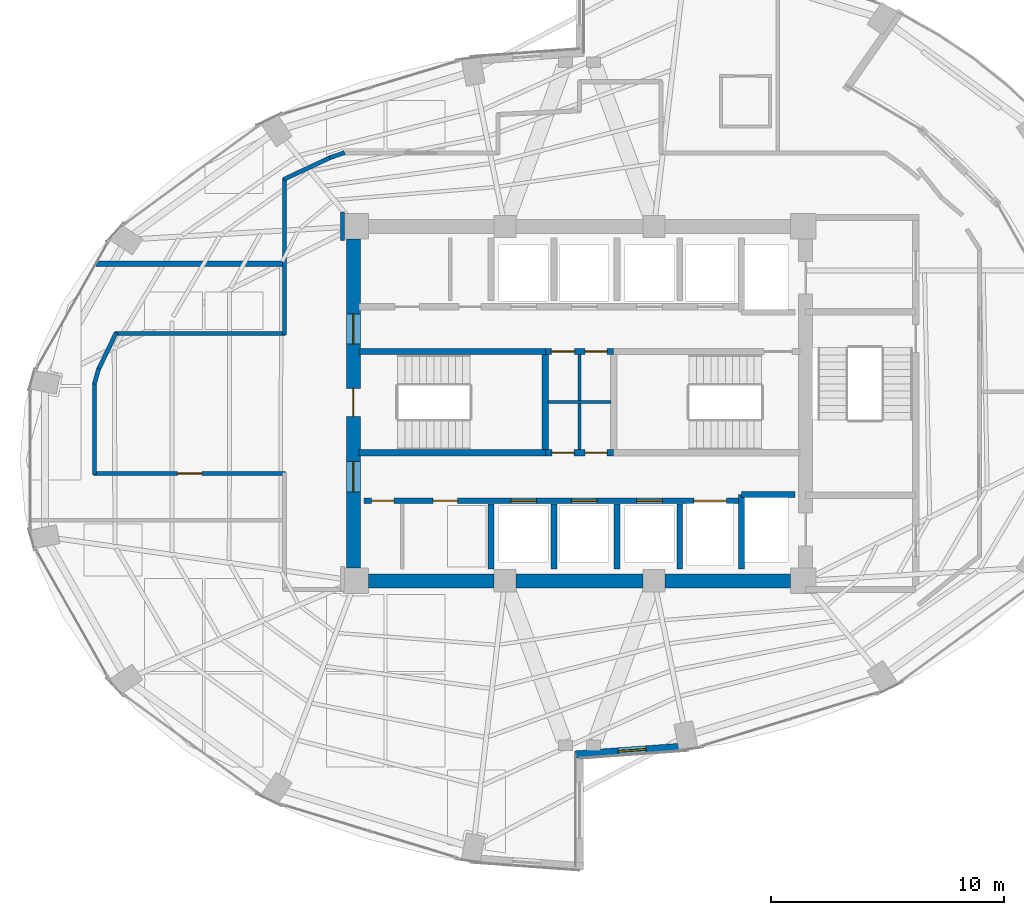
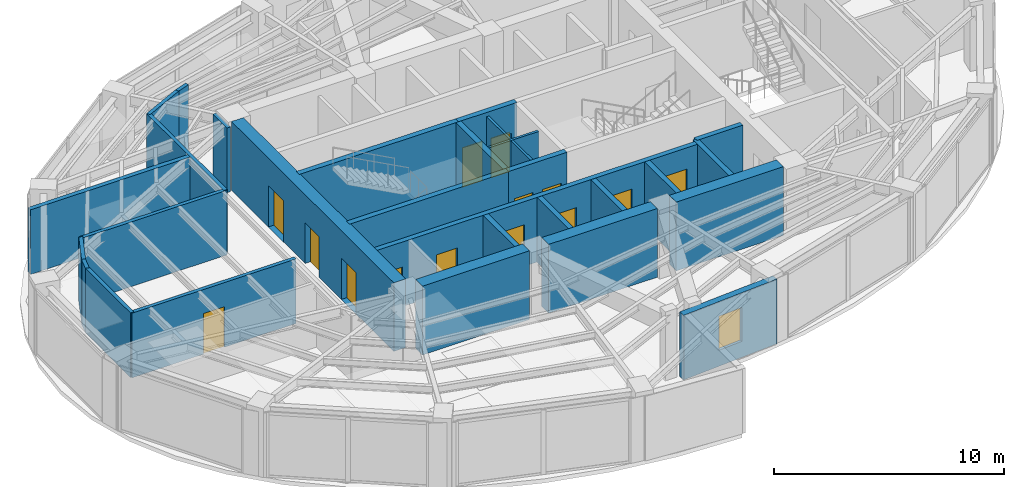
# One storey, part 15 of 19: 29 walls, 14 doors, 1 window, 15 openings.
"""IFC4 building model written with IfcOpenShell, lengths in metres."""

from ifc_helpers import new_model, si_unit, direction, frame, frame_2d, origin, place, context, subcontext, project, spatial, rectangle, extrude, material, layer, layer_set, type_object, element, fill, save


model = new_model("IFC4")

# Units and contexts
model_context = context("Model", 3, precision=1e-05, world=origin(), true_north=direction((0.0, 1.0)))
body_context = subcontext(model_context, "Body", "Model", "MODEL_VIEW")
ifc_project = project(units=[si_unit("LENGTHUNIT", "METRE"), si_unit("AREAUNIT", "SQUARE_METRE"), si_unit("VOLUMEUNIT", "CUBIC_METRE"), si_unit("PLANEANGLEUNIT", "RADIAN"), si_unit("MASSUNIT", "GRAM", prefix="KILO")], contexts=[model_context])

# Site, building, storey
site_placement = place(None, origin())
site = spatial("IfcSite", under=ifc_project, at=site_placement, CompositionType="ELEMENT")
building_placement = place(site_placement, origin())
building = spatial("IfcBuilding", under=site, at=building_placement, Name="Lazwardi Medical Tower", CompositionType="ELEMENT")
storey_placement = place(building_placement, frame((0.0, 0.0, 163.823974609375)))
storey = spatial("IfcBuildingStorey", under=building, at=storey_placement, Name="L42", CompositionType="ELEMENT", Elevation=163.823974609375)

# Walls
ifc_material_1 = material(Name="Fire-rated gypsum board on steel stud", Category="steel")
ifc_layer_1 = layer(ifc_material_1, 0.179931640625)
ifc_layer_set_1 = layer_set([ifc_layer_1], Name="Fire-rated gypsum board on steel stud")
wall_type_1 = type_object("IfcWallType", Name="WL-COR-180", PredefinedType="PARTITIONING", material=ifc_layer_set_1)
wall_1_placement = place(storey_placement, frame((15.350341796875, 29.435791015625, 0.0), z_axis=(0.0, 0.0, 1.0), x_axis=(0.436196025907, 0.899851669434, 0.0)))
element("IfcWall", 1, at=wall_1_placement, inside=storey, type_object=wall_type_1, Name="L42 Corridor partition 1", PredefinedType="PARTITIONING", context=body_context, shape_type="SweptSolid", body=[
    extrude(rectangle(XDim=1.778076171875, YDim=0.179931640625, at=frame_2d((0.88916015625, 0.0))), origin(), (0.0, 0.0, 1.0), 3.427978515625),
])
wall_2_placement = place(storey_placement, frame((16.068359375, 31.0, 0.0), z_axis=(0.0, 0.0, 1.0), x_axis=(1.0, 0.0, 0.0)))
element("IfcWall", 2, at=wall_2_placement, inside=storey, type_object=wall_type_1, Name="L42 Corridor partition 2", PredefinedType="PARTITIONING", context=body_context, shape_type="SweptSolid", body=[
    extrude(rectangle(XDim=7.321533203125, YDim=0.179931640625, at=frame_2d((3.66064453125, 0.0))), origin(), (0.0, 0.0, 1.0), 3.427978515625),
])
wall_3_placement = place(storey_placement, frame((23.35009765625, 30.9599609375, 0.0), z_axis=(0.0, 0.0, 1.0), x_axis=(0.0, 1.0, 0.0)))
element("IfcWall", 3, at=wall_3_placement, inside=storey, type_object=wall_type_1, Name="L42 Corridor partition 3", PredefinedType="PARTITIONING", context=body_context, shape_type="SweptSolid", body=[
    extrude(rectangle(XDim=6.7138671875, YDim=0.179931640625, at=frame_2d((3.35693359375, 0.0))), origin(), (0.0, 0.0, 1.0), 3.427978515625),
])
wall_4_placement = place(storey_placement, frame((23.313720703125, 37.616943359375, 0.0), z_axis=(0.0, 0.0, 1.0), x_axis=(0.905731790856, 0.423851298255, 0.0)))
element("IfcWall", 4, at=wall_4_placement, inside=storey, type_object=wall_type_1, Name="L42 Corridor partition 4", PredefinedType="PARTITIONING", context=body_context, shape_type="SweptSolid", body=[
    extrude(rectangle(XDim=2.255126953125, YDim=0.179931640625, at=frame_2d((1.12744140625, 0.0))), origin(), (0.0, 0.0, 1.0), 3.427978515625),
])
wall_5_placement = place(storey_placement, frame((25.2822265625, 38.54248046875, 0.0), z_axis=(0.0, 0.0, 1.0), x_axis=(0.94508059942, 0.326837361085, 0.0)))
element("IfcWall", 5, at=wall_5_placement, inside=storey, type_object=wall_type_1, Name="L42 Corridor partition 5", PredefinedType="PARTITIONING", context=body_context, shape_type="SweptSolid", body=[
    extrude(rectangle(XDim=0.67529296875, YDim=0.179931640625, at=frame_2d((0.337646484375, 0.0))), origin(), (0.0, 0.0, 1.0), 3.427978515625),
])
wall_6_placement = place(storey_placement, frame((25.830078125, 36.2099609375, 0.0), z_axis=(0.0, 0.0, 1.0), x_axis=(0.0, -1.0, 0.0)))
element("IfcWall", 6, at=wall_6_placement, inside=storey, type_object=wall_type_1, Name="L42 Corridor partition 20", PredefinedType="PARTITIONING", context=body_context, shape_type="SweptSolid", body=[
    extrude(rectangle(XDim=1.219970703125, YDim=0.179931640625, at=frame_2d((0.60986328125, 0.0))), origin(), (0.0, 0.0, 1.0), 3.427978515625),
])

# Wall, opening, door
wall_7_placement = place(storey_placement, frame((23.389892578125, 25.0, 0.0), z_axis=(0.0, 0.0, 1.0), x_axis=(-1.0, 0.0, 0.0)))
wall_7 = element("IfcWall", 7, at=wall_7_placement, inside=storey, type_object=wall_type_1, Name="L42 Corridor partition 24", PredefinedType="PARTITIONING", context=body_context, shape_type="SweptSolid", body=[
    extrude(rectangle(XDim=8.22998046875, YDim=0.179931640625, at=frame_2d((4.114990234375, 0.0))), origin(), (0.0, 0.0, 1.0), 3.427978515625),
])
opening_1_placement = place(wall_7_placement, frame((3.590087890625, 0.0, 0.0)))
opening_1 = element("IfcOpeningElement", 8, at=opening_1_placement, cuts=wall_7, Name="Opening D-L42-017", PredefinedType="OPENING", context=body_context, shape_type="SweptSolid", body=[
    extrude(rectangle(XDim=1.050048828125, YDim=2.14990234375, at=frame_2d((0.52490234375, 1.074951171875))), frame((0.0, 0.099853515625, 0.0), z_axis=(0.0, -1.0, 0.0), x_axis=(1.0, 0.0, 0.0)), (0.0, 0.0, 1.0), 0.199951171875),
])
ifc_material_2 = material(Name="Anti-microbial laminate hospital leaf")
door_type_1 = type_object("IfcDoorType", Name="DR-CLN-1050", OperationType="NOTDEFINED", PredefinedType="DOOR", material=ifc_material_2)
door_1_placement = place(opening_1_placement, origin())
door_1 = element("IfcDoor", 9, at=door_1_placement, inside=storey, type_object=door_type_1, Name="L42 Medical Duty Staff Room Door 04", OperationType="SINGLE_SWING_LEFT", OverallHeight=2.14990234375, OverallWidth=1.050048828125, PredefinedType="DOOR", context=body_context, shape_type="SweptSolid", body=[
    extrude(rectangle(XDim=1.050048828125, YDim=2.14990234375, at=frame_2d((0.52490234375, 1.074951171875))), frame((0.0, 0.02490234375, 0.0), z_axis=(0.0, -1.0, 0.0), x_axis=(1.0, 0.0, 0.0)), (0.0, 0.0, 1.0), 0.050048828125),
])
fill(opening_1, door_1)

# Walls
wall_8_placement = place(storey_placement, frame((15.199951171875, 24.9599609375, 0.0), z_axis=(0.0, 0.0, 1.0), x_axis=(0.0, 1.0, 0.0)))
element("IfcWall", 10, at=wall_8_placement, inside=storey, type_object=wall_type_1, Name="L42 Corridor partition 25", PredefinedType="PARTITIONING", context=body_context, shape_type="SweptSolid", body=[
    extrude(rectangle(XDim=3.961181640625, YDim=0.179931640625, at=frame_2d((1.98046875, 0.0))), origin(), (0.0, 0.0, 1.0), 3.427978515625),
])
wall_9_placement = place(storey_placement, frame((15.189208984375, 28.842529296875, 0.0), z_axis=(0.0, 0.0, 1.0), x_axis=(0.272862960331, 0.962052911684, 0.0)))
element("IfcWall", 11, at=wall_9_placement, inside=storey, type_object=wall_type_1, Name="L42 Corridor partition 26", PredefinedType="PARTITIONING", context=body_context, shape_type="SweptSolid", body=[
    extrude(rectangle(XDim=0.6943359375, YDim=0.179931640625, at=frame_2d((0.34716796875, 0.0))), origin(), (0.0, 0.0, 1.0), 3.427978515625),
])

# Wall, openings, doors
ifc_material_3 = material(Name="Concrete C60/75", Category="concrete")
ifc_layer_2 = layer(ifc_material_3, 0.60009765625)
ifc_layer_set_2 = layer_set([ifc_layer_2], Name="Concrete C60/75")
wall_type_2 = type_object("IfcWallType", Name="WL-CORE-600", PredefinedType="SHEAR", material=ifc_layer_set_2)
wall_10_placement = place(storey_placement, frame((26.300048828125, 20.949951171875, 0.0), z_axis=(0.0, 0.0, 1.0), x_axis=(0.0, 1.0, 0.0)))
wall_10 = element("IfcWall", 12, at=wall_10_placement, inside=storey, type_object=wall_type_2, Name="Core wall CW-S3 west L42", PredefinedType="SHEAR", context=body_context, shape_type="SweptSolid", body=[
    extrude(rectangle(XDim=14.10009765625, YDim=0.60009765625, at=frame_2d((7.050048828125, 0.0))), origin(), (0.0, 0.0, 1.0), 3.64794921875),
])
opening_2_placement = place(wall_10_placement, frame((6.5, 0.0, 0.0)))
opening_2 = element("IfcOpeningElement", 13, at=opening_2_placement, cuts=wall_10, Name="Opening D-L42-018", PredefinedType="OPENING", context=body_context, shape_type="SweptSolid", body=[
    extrude(rectangle(XDim=1.199951171875, YDim=2.14990234375, at=frame_2d((0.60009765625, 1.074951171875))), frame((0.0, 0.31005859375, 0.0), z_axis=(0.0, -1.0, 0.0), x_axis=(1.0, 0.0, 0.0)), (0.0, 0.0, 1.0), 0.6201171875),
])
opening_3_placement = place(wall_10_placement, frame((9.60009765625, 0.0, 0.0)))
opening_3 = element("IfcOpeningElement", 14, at=opening_3_placement, cuts=wall_10, Name="Opening D-L42-012", PredefinedType="OPENING", context=body_context, shape_type="SweptSolid", body=[
    extrude(rectangle(XDim=1.300048828125, YDim=2.199951171875, at=frame_2d((0.64990234375, 1.10009765625))), frame((0.0, 0.31005859375, 0.0), z_axis=(0.0, -1.0, 0.0), x_axis=(1.0, 0.0, 0.0)), (0.0, 0.0, 1.0), 0.6201171875),
])
opening_4_placement = place(wall_10_placement, frame((3.260009765625, 0.0, 0.0)))
opening_4 = element("IfcOpeningElement", 15, at=opening_4_placement, cuts=wall_10, Name="Opening D-L42-013", PredefinedType="OPENING", context=body_context, shape_type="SweptSolid", body=[
    extrude(rectangle(XDim=1.300048828125, YDim=2.199951171875, at=frame_2d((0.64990234375, 1.10009765625))), frame((0.0, 0.31005859375, 0.0), z_axis=(0.0, -1.0, 0.0), x_axis=(1.0, 0.0, 0.0)), (0.0, 0.0, 1.0), 0.6201171875),
])
ifc_material_4 = material(Name="Fire-rated steel leaf and frame", Category="steel")
door_type_2 = type_object("IfcDoorType", Name="DR-FFL-1300", OperationType="NOTDEFINED", PredefinedType="DOOR", material=ifc_material_4)
door_2_placement = place(opening_3_placement, origin())
door_2 = element("IfcDoor", 16, at=door_2_placement, inside=storey, type_object=door_type_2, Name="L42 North Lift Lobby Door", OperationType="SINGLE_SWING_RIGHT", OverallHeight=2.199951171875, OverallWidth=1.300048828125, PredefinedType="DOOR", context=body_context, shape_type="SweptSolid", body=[
    extrude(rectangle(XDim=1.300048828125, YDim=2.199951171875, at=frame_2d((0.64990234375, 1.10009765625))), frame((0.0, 0.02490234375, 0.0), z_axis=(0.0, -1.0, 0.0), x_axis=(1.0, 0.0, 0.0)), (0.0, 0.0, 1.0), 0.050048828125),
])
fill(opening_3, door_2)
door_3_placement = place(opening_4_placement, origin())
door_3 = element("IfcDoor", 17, at=door_3_placement, inside=storey, type_object=door_type_2, Name="L42 South Lift Lobby Door", OperationType="SINGLE_SWING_LEFT", OverallHeight=2.199951171875, OverallWidth=1.300048828125, PredefinedType="DOOR", context=body_context, shape_type="SweptSolid", body=[
    extrude(rectangle(XDim=1.300048828125, YDim=2.199951171875, at=frame_2d((0.64990234375, 1.10009765625))), frame((0.0, 0.02490234375, 0.0), z_axis=(0.0, -1.0, 0.0), x_axis=(1.0, 0.0, 0.0)), (0.0, 0.0, 1.0), 0.050048828125),
])
fill(opening_4, door_3)
door_type_3 = type_object("IfcDoorType", Name="DR-STR-1200", OperationType="NOTDEFINED", PredefinedType="DOOR", material=ifc_material_4)
door_4_placement = place(opening_2_placement, origin())
door_4 = element("IfcDoor", 18, at=door_4_placement, inside=storey, type_object=door_type_3, Name="L42 Exit Stair ST1 Door", OperationType="SINGLE_SWING_RIGHT", OverallHeight=2.14990234375, OverallWidth=1.199951171875, PredefinedType="DOOR", context=body_context, shape_type="SweptSolid", body=[
    extrude(rectangle(XDim=1.199951171875, YDim=2.14990234375, at=frame_2d((0.60009765625, 1.074951171875))), frame((0.0, 0.02490234375, 0.0), z_axis=(0.0, -1.0, 0.0), x_axis=(1.0, 0.0, 0.0)), (0.0, 0.0, 1.0), 0.050048828125),
])
fill(opening_2, door_4)

# Walls
wall_11_placement = place(storey_placement, frame((26.949951171875, 20.39990234375, 0.0), z_axis=(0.0, 0.0, 1.0), x_axis=(1.0, 0.0, 0.0)))
element("IfcWall", 19, at=wall_11_placement, inside=storey, type_object=wall_type_2, Name="Core wall CW-S3 S1 L42", PredefinedType="SHEAR", context=body_context, shape_type="SweptSolid", body=[
    extrude(rectangle(XDim=5.375, YDim=0.60009765625, at=frame_2d((2.6875, 0.0))), origin(), (0.0, 0.0, 1.0), 3.64794921875),
])
wall_12_placement = place(storey_placement, frame((33.27490234375, 20.39990234375, 0.0), z_axis=(0.0, 0.0, 1.0), x_axis=(1.0, 0.0, 0.0)))
element("IfcWall", 20, at=wall_12_placement, inside=storey, type_object=wall_type_2, Name="Core wall CW-S3 S2 L42", PredefinedType="SHEAR", context=body_context, shape_type="SweptSolid", body=[
    extrude(rectangle(XDim=5.4501953125, YDim=0.60009765625, at=frame_2d((2.72509765625, 0.0))), origin(), (0.0, 0.0, 1.0), 3.64794921875),
])
wall_13_placement = place(storey_placement, frame((39.675048828125, 20.39990234375, 0.0), z_axis=(0.0, 0.0, 1.0), x_axis=(1.0, 0.0, 0.0)))
element("IfcWall", 21, at=wall_13_placement, inside=storey, type_object=wall_type_2, Name="Core wall CW-S3 S3 L42", PredefinedType="SHEAR", context=body_context, shape_type="SweptSolid", body=[
    extrude(rectangle(XDim=5.375, YDim=0.60009765625, at=frame_2d((2.6875, 0.0))), origin(), (0.0, 0.0, 1.0), 3.64794921875),
])
ifc_material_5 = material(Name="Moisture-resistant gypsum board partition")
ifc_layer_3 = layer(ifc_material_5, 0.125)
ifc_layer_set_3 = layer_set([ifc_layer_3], Name="Moisture-resistant gypsum board partition")
wall_type_3 = type_object("IfcWallType", Name="WL-ENS-125", PredefinedType="PARTITIONING", material=ifc_layer_set_3)
wall_14_placement = place(storey_placement, frame((34.64990234375, 28.06005859375, 0.0), z_axis=(0.0, 0.0, 1.0), x_axis=(1.0, 0.0, 0.0)))
element("IfcWall", 22, at=wall_14_placement, inside=storey, type_object=wall_type_3, Name="L42 Core 4-way H divider", PredefinedType="PARTITIONING", context=body_context, shape_type="SweptSolid", body=[
    extrude(rectangle(XDim=2.7001953125, YDim=0.125, at=frame_2d((1.35009765625, 0.0))), origin(), (0.0, 0.0, 1.0), 3.427978515625),
])
wall_15_placement = place(storey_placement, frame((36.0, 26.02001953125, 0.0), z_axis=(0.0, 0.0, 1.0), x_axis=(0.0, 1.0, 0.0)))
element("IfcWall", 23, at=wall_15_placement, inside=storey, type_object=wall_type_3, Name="L42 Core 4-way V divider", PredefinedType="PARTITIONING", context=body_context, shape_type="SweptSolid", body=[
    extrude(rectangle(XDim=4.080078125, YDim=0.125, at=frame_2d((2.0400390625, 0.0))), origin(), (0.0, 0.0, 1.0), 3.427978515625),
])

# Wall, opening, window
ifc_material_6 = material(Name="Precast concrete C45/55", Category="concrete")
ifc_layer_4 = layer(ifc_material_6, 0.320068359375)
ifc_layer_set_4 = layer_set([ifc_layer_4], Name="Precast concrete C45/55")
wall_type_4 = type_object("IfcWallType", Name="WL-IWAN-320", PredefinedType="SOLIDWALL", material=ifc_layer_set_4)
wall_16_placement = place(storey_placement, frame((35.820556640625, 12.947021484375, 0.0), z_axis=(0.0, 0.0, 1.0), x_axis=(0.997415460462, 0.071849838072, 0.0)))
wall_16 = element("IfcWall", 24, at=wall_16_placement, inside=storey, type_object=wall_type_4, Name="L42 Iwan Portal Return Wall SE_ret", PredefinedType="SOLIDWALL", context=body_context, shape_type="SweptSolid", body=[
    extrude(rectangle(XDim=4.89306640625, YDim=0.320068359375, at=frame_2d((2.446533203125, 0.0))), origin(), (0.0, 0.0, 1.0), 3.427978515625),
])
opening_5_placement = place(wall_16_placement, frame((1.846435546875, 0.0, 0.85009765625)))
opening_5 = element("IfcOpeningElement", 25, at=opening_5_placement, cuts=wall_16, Name="Opening WN-04", PredefinedType="OPENING", context=body_context, shape_type="SweptSolid", body=[
    extrude(rectangle(XDim=1.199951171875, YDim=1.800048828125, at=frame_2d((0.60009765625, 0.89990234375))), frame((0.0, 0.169921875, 0.0), z_axis=(0.0, -1.0, 0.0), x_axis=(1.0, 0.0, 0.0)), (0.0, 0.0, 1.0), 0.340087890625),
])
ifc_material_7 = material(Name="Low-e bronze solar control double glazing", Category="glass")
window_type = type_object("IfcWindowType", Name="WIN-DRUM-1200", PartitioningType="SINGLE_PANEL", PredefinedType="WINDOW", material=ifc_material_7)
window_placement = place(opening_5_placement, origin())
window = element("IfcWindow", 26, at=window_placement, inside=storey, type_object=window_type, Name="L42 Iwan Slot Window SE_ret", OverallHeight=1.800048828125, OverallWidth=1.199951171875, PartitioningType="SINGLE_PANEL", PredefinedType="WINDOW", context=body_context, shape_type="SweptSolid", body=[
    extrude(rectangle(XDim=1.199951171875, YDim=1.800048828125, at=frame_2d((0.60009765625, 0.89990234375))), frame((0.0, 0.030029296875, 0.0), z_axis=(0.0, -1.0, 0.0), x_axis=(1.0, 0.0, 0.0)), (0.0, 0.0, 1.0), 0.06005859375),
])
fill(opening_5, window)

# Wall, openings, doors
ifc_material_8 = material(Name="Autoclaved aerated concrete blockwork", Category="masonry")
ifc_layer_5 = layer(ifc_material_8, 0.25)
ifc_layer_set_5 = layer_set([ifc_layer_5], Name="Autoclaved aerated concrete blockwork")
wall_type_5 = type_object("IfcWallType", Name="WL-SHAFT-250", PredefinedType="SOLIDWALL", material=ifc_layer_set_5)
wall_17_placement = place(storey_placement, frame((26.75, 23.830078125, 0.0), z_axis=(0.0, 0.0, 1.0), x_axis=(1.0, 0.0, 0.0)))
wall_17 = element("IfcWall", 27, at=wall_17_placement, inside=storey, type_object=wall_type_5, Name="L42 South lift bank front wall", PredefinedType="SOLIDWALL", context=body_context, shape_type="SweptSolid", body=[
    extrude(rectangle(XDim=16.199951171875, YDim=0.25, at=frame_2d((8.10009765625, 0.0))), origin(), (0.0, 0.0, 1.0), 3.427978515625),
])
opening_6_placement = place(wall_17_placement, frame((0.3349609375, 0.0, 0.0)))
opening_6 = element("IfcOpeningElement", 28, at=opening_6_placement, cuts=wall_17, Name="Opening D-L42-008", PredefinedType="OPENING", context=body_context, shape_type="SweptSolid", body=[
    extrude(rectangle(XDim=0.949951171875, YDim=2.10009765625, at=frame_2d((0.47509765625, 1.050048828125))), frame((0.0, 0.135009765625, 0.0), z_axis=(0.0, -1.0, 0.0), x_axis=(1.0, 0.0, 0.0)), (0.0, 0.0, 1.0), 0.27001953125),
])
opening_7_placement = place(wall_17_placement, frame((2.97509765625, 0.0, 0.0)))
opening_7 = element("IfcOpeningElement", 29, at=opening_7_placement, cuts=wall_17, Name="Opening D-L42-009", PredefinedType="OPENING", context=body_context, shape_type="SweptSolid", body=[
    extrude(rectangle(XDim=1.050048828125, YDim=2.14990234375, at=frame_2d((0.52490234375, 1.074951171875))), frame((0.0, 0.135009765625, 0.0), z_axis=(0.0, -1.0, 0.0), x_axis=(1.0, 0.0, 0.0)), (0.0, 0.0, 1.0), 0.27001953125),
])
opening_8_placement = place(wall_17_placement, frame((6.300048828125, 0.0, 0.0)))
opening_8 = element("IfcOpeningElement", 30, at=opening_8_placement, cuts=wall_17, Name="Opening LD-L42-006", PredefinedType="OPENING", context=body_context, shape_type="SweptSolid", body=[
    extrude(rectangle(XDim=1.10009765625, YDim=2.199951171875, at=frame_2d((0.550048828125, 1.10009765625))), frame((0.0, 0.135009765625, 0.0), z_axis=(0.0, -1.0, 0.0), x_axis=(1.0, 0.0, 0.0)), (0.0, 0.0, 1.0), 0.27001953125),
])
opening_9_placement = place(wall_17_placement, frame((8.89990234375, 0.0, 0.0)))
opening_9 = element("IfcOpeningElement", 31, at=opening_9_placement, cuts=wall_17, Name="Opening LD-L42-007", PredefinedType="OPENING", context=body_context, shape_type="SweptSolid", body=[
    extrude(rectangle(XDim=1.10009765625, YDim=2.199951171875, at=frame_2d((0.550048828125, 1.10009765625))), frame((0.0, 0.135009765625, 0.0), z_axis=(0.0, -1.0, 0.0), x_axis=(1.0, 0.0, 0.0)), (0.0, 0.0, 1.0), 0.27001953125),
])
opening_10_placement = place(wall_17_placement, frame((11.699951171875, 0.0, 0.0)))
opening_10 = element("IfcOpeningElement", 32, at=opening_10_placement, cuts=wall_17, Name="Opening LD-L42-010", PredefinedType="OPENING", context=body_context, shape_type="SweptSolid", body=[
    extrude(rectangle(XDim=1.10009765625, YDim=2.199951171875, at=frame_2d((0.550048828125, 1.10009765625))), frame((0.0, 0.135009765625, 0.0), z_axis=(0.0, -1.0, 0.0), x_axis=(1.0, 0.0, 0.0)), (0.0, 0.0, 1.0), 0.27001953125),
])
opening_11_placement = place(wall_17_placement, frame((14.14990234375, 0.0, 0.0)))
opening_11 = element("IfcOpeningElement", 33, at=opening_11_placement, cuts=wall_17, Name="Opening LD-L42-003", PredefinedType="OPENING", context=body_context, shape_type="SweptSolid", body=[
    extrude(rectangle(XDim=1.39990234375, YDim=2.300048828125, at=frame_2d((0.699951171875, 1.14990234375))), frame((0.0, 0.135009765625, 0.0), z_axis=(0.0, -1.0, 0.0), x_axis=(1.0, 0.0, 0.0)), (0.0, 0.0, 1.0), 0.27001953125),
])
door_5_placement = place(opening_7_placement, origin())
door_5 = element("IfcDoor", 34, at=door_5_placement, inside=storey, type_object=door_type_1, Name="L42 Medication Door", OperationType="SINGLE_SWING_LEFT", OverallHeight=2.14990234375, OverallWidth=1.050048828125, PredefinedType="DOOR", context=body_context, shape_type="SweptSolid", body=[
    extrude(rectangle(XDim=1.050048828125, YDim=2.14990234375, at=frame_2d((0.52490234375, 1.074951171875))), frame((0.0, 0.02490234375, 0.0), z_axis=(0.0, -1.0, 0.0), x_axis=(1.0, 0.0, 0.0)), (0.0, 0.0, 1.0), 0.050048828125),
])
fill(opening_7, door_5)
ifc_material_9 = material(Name="Moisture-resistant laminate door leaf")
door_type_4 = type_object("IfcDoorType", Name="DR-ENS-950", OperationType="NOTDEFINED", PredefinedType="DOOR", material=ifc_material_9)
door_6_placement = place(opening_6_placement, origin())
door_6 = element("IfcDoor", 35, at=door_6_placement, inside=storey, type_object=door_type_4, Name="L42 Utility Door", OperationType="SINGLE_SWING_RIGHT", OverallHeight=2.10009765625, OverallWidth=0.949951171875, PredefinedType="DOOR", context=body_context, shape_type="SweptSolid", body=[
    extrude(rectangle(XDim=0.949951171875, YDim=2.10009765625, at=frame_2d((0.47509765625, 1.050048828125))), frame((0.0, 0.02490234375, 0.0), z_axis=(0.0, -1.0, 0.0), x_axis=(1.0, 0.0, 0.0)), (0.0, 0.0, 1.0), 0.050048828125),
])
fill(opening_6, door_6)
ifc_material_10 = material(Name="Brushed bronze stainless steel landing door", Category="steel")
door_type_5 = type_object("IfcDoorType", Name="DR-LFT-1100", OperationType="NOTDEFINED", PredefinedType="DOOR", material=ifc_material_10)
door_7_placement = place(opening_8_placement, origin())
door_7 = element("IfcDoor", 36, at=door_7_placement, inside=storey, type_object=door_type_5, Name="L42 Lift Landing Door PL-07", OperationType="SLIDING_TO_LEFT", OverallHeight=2.199951171875, OverallWidth=1.10009765625, PredefinedType="DOOR", context=body_context, shape_type="SweptSolid", body=[
    extrude(rectangle(XDim=1.10009765625, YDim=2.199951171875, at=frame_2d((0.550048828125, 1.10009765625))), frame((0.0, 0.02490234375, 0.0), z_axis=(0.0, -1.0, 0.0), x_axis=(1.0, 0.0, 0.0)), (0.0, 0.0, 1.0), 0.050048828125),
])
fill(opening_8, door_7)
door_8_placement = place(opening_9_placement, origin())
door_8 = element("IfcDoor", 37, at=door_8_placement, inside=storey, type_object=door_type_5, Name="L42 Lift Landing Door PL-08", OperationType="SLIDING_TO_LEFT", OverallHeight=2.199951171875, OverallWidth=1.10009765625, PredefinedType="DOOR", context=body_context, shape_type="SweptSolid", body=[
    extrude(rectangle(XDim=1.10009765625, YDim=2.199951171875, at=frame_2d((0.550048828125, 1.10009765625))), frame((0.0, 0.02490234375, 0.0), z_axis=(0.0, -1.0, 0.0), x_axis=(1.0, 0.0, 0.0)), (0.0, 0.0, 1.0), 0.050048828125),
])
fill(opening_9, door_8)
door_9_placement = place(opening_10_placement, origin())
door_9 = element("IfcDoor", 38, at=door_9_placement, inside=storey, type_object=door_type_5, Name="L42 Lift Landing Door PL-11", OperationType="SLIDING_TO_LEFT", OverallHeight=2.199951171875, OverallWidth=1.10009765625, PredefinedType="DOOR", context=body_context, shape_type="SweptSolid", body=[
    extrude(rectangle(XDim=1.10009765625, YDim=2.199951171875, at=frame_2d((0.550048828125, 1.10009765625))), frame((0.0, 0.02490234375, 0.0), z_axis=(0.0, -1.0, 0.0), x_axis=(1.0, 0.0, 0.0)), (0.0, 0.0, 1.0), 0.050048828125),
])
fill(opening_10, door_9)
ifc_material_11 = material(Name="Brushed stainless steel bed-lift landing door", Category="steel")
door_type_6 = type_object("IfcDoorType", Name="DR-LFT-1400", OperationType="NOTDEFINED", PredefinedType="DOOR", material=ifc_material_11)
door_10_placement = place(opening_11_placement, origin())
door_10 = element("IfcDoor", 39, at=door_10_placement, inside=storey, type_object=door_type_6, Name="L42 Lift Landing Door FL-03", OperationType="SLIDING_TO_LEFT", OverallHeight=2.300048828125, OverallWidth=1.39990234375, PredefinedType="DOOR", context=body_context, shape_type="SweptSolid", body=[
    extrude(rectangle(XDim=1.39990234375, YDim=2.300048828125, at=frame_2d((0.699951171875, 1.14990234375))), frame((0.0, 0.02490234375, 0.0), z_axis=(0.0, -1.0, 0.0), x_axis=(1.0, 0.0, 0.0)), (0.0, 0.0, 1.0), 0.050048828125),
])
fill(opening_11, door_10)

# Walls
wall_18_placement = place(storey_placement, frame((42.949951171875, 20.89990234375, 0.0), z_axis=(0.0, 0.0, 1.0), x_axis=(0.0, 1.0, 0.0)))
element("IfcWall", 40, at=wall_18_placement, inside=storey, type_object=wall_type_5, Name="L42 FL-02 West shaft wall", PredefinedType="SOLIDWALL", context=body_context, shape_type="SweptSolid", body=[
    extrude(rectangle(XDim=3.2001953125, YDim=0.25, at=frame_2d((1.60009765625, 0.0))), origin(), (0.0, 0.0, 1.0), 3.427978515625),
])
wall_19_placement = place(storey_placement, frame((42.949951171875, 24.10009765625, 0.0), z_axis=(0.0, 0.0, 1.0), x_axis=(1.0, 0.0, 0.0)))
element("IfcWall", 41, at=wall_19_placement, inside=storey, type_object=wall_type_5, Name="L42 FL-02 North shaft wall", PredefinedType="SOLIDWALL", context=body_context, shape_type="SweptSolid", body=[
    extrude(rectangle(XDim=2.300048828125, YDim=0.25, at=frame_2d((1.14990234375, 0.0))), origin(), (0.0, 0.0, 1.0), 3.427978515625),
])
for number, where, z_axis, x_axis, name in (
    (42, (32.199951171875, 20.89990234375, 0.0), (0.0, 0.0, 1.0), (0.0, 1.0, 0.0), "L42 South hoistway divider"),
    (43, (34.89990234375, 20.89990234375, 0.0), (0.0, 0.0, 1.0), (0.0, 1.0, 0.0), "L42 South hoistway divider"),
    (44, (37.60009765625, 20.89990234375, 0.0), (0.0, 0.0, 1.0), (0.0, 1.0, 0.0), "L42 South hoistway divider"),
    (45, (40.300048828125, 20.89990234375, 0.0), (0.0, 0.0, 1.0), (0.0, 1.0, 0.0), "L42 South hoistway divider"),
):
    element("IfcWall", number, at=place(storey_placement, frame(where, z_axis=z_axis, x_axis=x_axis)), inside=storey, type_object=wall_type_5, Name=name, PredefinedType="SOLIDWALL", context=body_context, shape_type="SweptSolid", body=[
        extrude(rectangle(XDim=2.800048828125, YDim=0.25, at=frame_2d((1.39990234375, 0.0))), origin(), (0.0, 0.0, 1.0), 3.427978515625),
    ])
ifc_layer_6 = layer(ifc_material_1, 0.219970703125)
ifc_layer_set_6 = layer_set([ifc_layer_6], Name="Fire-rated gypsum board on steel stud")
wall_type_6 = type_object("IfcWallType", Name="WL-SMK-220", PredefinedType="PARTITIONING", material=ifc_layer_set_6)
wall_20_placement = place(storey_placement, frame((15.260986328125, 34.0, 0.0), z_axis=(0.0, 0.0, 1.0), x_axis=(1.0, 0.0, 0.0)))
element("IfcWall", 46, at=wall_20_placement, inside=storey, type_object=wall_type_6, Name="L42 Room partition 2", PredefinedType="PARTITIONING", context=body_context, shape_type="SweptSolid", body=[
    extrude(rectangle(XDim=7.9990234375, YDim=0.219970703125, at=frame_2d((3.99951171875, 0.0))), origin(), (0.0, 0.0, 1.0), 3.427978515625),
])
ifc_material_12 = material(Name="Concrete C50/60", Category="concrete")
ifc_layer_7 = layer(ifc_material_12, 0.27001953125)
ifc_layer_set_7 = layer_set([ifc_layer_7], Name="Concrete C50/60")
wall_type_7 = type_object("IfcWallType", Name="WL-STR-250", PredefinedType="SHEAR", material=ifc_layer_set_7)
wall_21_placement = place(storey_placement, frame((26.550048828125, 30.235107421875, 0.0), z_axis=(0.0, 0.0, 1.0), x_axis=(1.0, 0.0, 0.0)))
element("IfcWall", 47, at=wall_21_placement, inside=storey, type_object=wall_type_7, Name="L42 ST1 North shear shaft wall SW-S1", PredefinedType="SHEAR", context=body_context, shape_type="SweptSolid", body=[
    extrude(rectangle(XDim=7.98486328125, YDim=0.27001953125, at=frame_2d((3.992431640625, 0.0))), origin(), (0.0, 0.0, 1.0), 3.64794921875),
])

# Wall, openings, doors
wall_22_placement = place(storey_placement, frame((34.534912109375, 30.235107421875, 0.0), z_axis=(0.0, 0.0, 1.0), x_axis=(1.0, 0.0, 0.0)))
wall_22 = element("IfcWall", 48, at=wall_22_placement, inside=storey, type_object=wall_type_7, Name="L42 Core service North shear wall SW-S1", PredefinedType="SHEAR", context=body_context, shape_type="SweptSolid", body=[
    extrude(rectangle(XDim=2.93017578125, YDim=0.27001953125, at=frame_2d((1.465087890625, 0.0))), origin(), (0.0, 0.0, 1.0), 3.64794921875),
])
opening_12_placement = place(wall_22_placement, frame((0.2548828125, 0.0, 0.0)))
opening_12 = element("IfcOpeningElement", 49, at=opening_12_placement, cuts=wall_22, Name="Opening D-L42-003", PredefinedType="OPENING", context=body_context, shape_type="SweptSolid", body=[
    extrude(rectangle(XDim=1.0, YDim=2.10009765625, at=frame_2d((0.5, 1.050048828125))), frame((0.0, 0.14501953125, 0.0), z_axis=(0.0, -1.0, 0.0), x_axis=(1.0, 0.0, 0.0)), (0.0, 0.0, 1.0), 0.2900390625),
])
opening_13_placement = place(wall_22_placement, frame((1.699951171875, 0.0, 0.0)))
opening_13 = element("IfcOpeningElement", 50, at=opening_13_placement, cuts=wall_22, Name="Opening D-L42-004", PredefinedType="OPENING", context=body_context, shape_type="SweptSolid", body=[
    extrude(rectangle(XDim=0.949951171875, YDim=2.10009765625, at=frame_2d((0.47509765625, 1.050048828125))), frame((0.0, 0.14501953125, 0.0), z_axis=(0.0, -1.0, 0.0), x_axis=(1.0, 0.0, 0.0)), (0.0, 0.0, 1.0), 0.2900390625),
])
door_type_7 = type_object("IfcDoorType", Name="DR-AWC-1000", OperationType="NOTDEFINED", PredefinedType="DOOR", material=ifc_material_9)
door_11_placement = place(opening_12_placement, origin())
door_11 = element("IfcDoor", 51, at=door_11_placement, inside=storey, type_object=door_type_7, Name="L42 Accessible WC Door", OperationType="SINGLE_SWING_RIGHT", OverallHeight=2.10009765625, OverallWidth=1.0, PredefinedType="DOOR", context=body_context, shape_type="SweptSolid", body=[
    extrude(rectangle(XDim=1.0, YDim=2.10009765625, at=frame_2d((0.5, 1.050048828125))), frame((0.0, 0.02490234375, 0.0), z_axis=(0.0, -1.0, 0.0), x_axis=(1.0, 0.0, 0.0)), (0.0, 0.0, 1.0), 0.050048828125),
])
fill(opening_12, door_11)
door_12_placement = place(opening_13_placement, origin())
door_12 = element("IfcDoor", 52, at=door_12_placement, inside=storey, type_object=door_type_4, Name="L42 Clean Utility Door", OperationType="SINGLE_SWING_LEFT", OverallHeight=2.10009765625, OverallWidth=0.949951171875, PredefinedType="DOOR", context=body_context, shape_type="SweptSolid", body=[
    extrude(rectangle(XDim=0.949951171875, YDim=2.10009765625, at=frame_2d((0.47509765625, 1.050048828125))), frame((0.0, 0.02490234375, 0.0), z_axis=(0.0, -1.0, 0.0), x_axis=(1.0, 0.0, 0.0)), (0.0, 0.0, 1.0), 0.050048828125),
])
fill(opening_13, door_12)

# Wall
wall_23_placement = place(storey_placement, frame((26.550048828125, 25.885009765625, 0.0), z_axis=(0.0, 0.0, 1.0), x_axis=(1.0, 0.0, 0.0)))
element("IfcWall", 53, at=wall_23_placement, inside=storey, type_object=wall_type_7, Name="L42 ST1 South shear shaft wall SW-S1", PredefinedType="SHEAR", context=body_context, shape_type="SweptSolid", body=[
    extrude(rectangle(XDim=7.98486328125, YDim=0.27001953125, at=frame_2d((3.992431640625, 0.0))), origin(), (0.0, 0.0, 1.0), 3.64794921875),
])

# Wall, openings, doors
wall_24_placement = place(storey_placement, frame((34.534912109375, 25.885009765625, 0.0), z_axis=(0.0, 0.0, 1.0), x_axis=(1.0, 0.0, 0.0)))
wall_24 = element("IfcWall", 54, at=wall_24_placement, inside=storey, type_object=wall_type_7, Name="L42 Core service South shear wall SW-S1", PredefinedType="SHEAR", context=body_context, shape_type="SweptSolid", body=[
    extrude(rectangle(XDim=2.93017578125, YDim=0.27001953125, at=frame_2d((1.465087890625, 0.0))), origin(), (0.0, 0.0, 1.0), 3.64794921875),
])
opening_14_placement = place(wall_24_placement, frame((0.280029296875, 0.0, 0.0)))
opening_14 = element("IfcOpeningElement", 55, at=opening_14_placement, cuts=wall_24, Name="Opening D-L42-001", PredefinedType="OPENING", context=body_context, shape_type="SweptSolid", body=[
    extrude(rectangle(XDim=0.949951171875, YDim=2.10009765625, at=frame_2d((0.47509765625, 1.050048828125))), frame((0.0, 0.14501953125, 0.0), z_axis=(0.0, -1.0, 0.0), x_axis=(1.0, 0.0, 0.0)), (0.0, 0.0, 1.0), 0.2900390625),
])
opening_15_placement = place(wall_24_placement, frame((1.699951171875, 0.0, 0.0)))
opening_15 = element("IfcOpeningElement", 56, at=opening_15_placement, cuts=wall_24, Name="Opening D-L42-002", PredefinedType="OPENING", context=body_context, shape_type="SweptSolid", body=[
    extrude(rectangle(XDim=0.949951171875, YDim=2.10009765625, at=frame_2d((0.47509765625, 1.050048828125))), frame((0.0, 0.14501953125, 0.0), z_axis=(0.0, -1.0, 0.0), x_axis=(1.0, 0.0, 0.0)), (0.0, 0.0, 1.0), 0.2900390625),
])
door_13_placement = place(opening_14_placement, origin())
door_13 = element("IfcDoor", 57, at=door_13_placement, inside=storey, type_object=door_type_4, Name="L42 Staff WC Door", OperationType="SINGLE_SWING_RIGHT", OverallHeight=2.10009765625, OverallWidth=0.949951171875, PredefinedType="DOOR", context=body_context, shape_type="SweptSolid", body=[
    extrude(rectangle(XDim=0.949951171875, YDim=2.10009765625, at=frame_2d((0.47509765625, 1.050048828125))), frame((0.0, 0.02490234375, 0.0), z_axis=(0.0, -1.0, 0.0), x_axis=(1.0, 0.0, 0.0)), (0.0, 0.0, 1.0), 0.050048828125),
])
fill(opening_14, door_13)
door_14_placement = place(opening_15_placement, origin())
door_14 = element("IfcDoor", 58, at=door_14_placement, inside=storey, type_object=door_type_4, Name="L42 Comms Room Door", OperationType="SINGLE_SWING_LEFT", OverallHeight=2.10009765625, OverallWidth=0.949951171875, PredefinedType="DOOR", context=body_context, shape_type="SweptSolid", body=[
    extrude(rectangle(XDim=0.949951171875, YDim=2.10009765625, at=frame_2d((0.47509765625, 1.050048828125))), frame((0.0, 0.02490234375, 0.0), z_axis=(0.0, -1.0, 0.0), x_axis=(1.0, 0.0, 0.0)), (0.0, 0.0, 1.0), 0.050048828125),
])
fill(opening_15, door_14)

# Wall
wall_25_placement = place(storey_placement, frame((34.534912109375, 26.02001953125, 0.0), z_axis=(0.0, 0.0, 1.0), x_axis=(0.0, 1.0, 0.0)))
element("IfcWall", 59, at=wall_25_placement, inside=storey, type_object=wall_type_7, Name="L42 ST1 East shear shaft wall SW-S1", PredefinedType="SHEAR", context=body_context, shape_type="SweptSolid", body=[
    extrude(rectangle(XDim=4.080078125, YDim=0.27001953125, at=frame_2d((2.0400390625, 0.0))), origin(), (0.0, 0.0, 1.0), 3.64794921875),
])

save(model, "model.ifc")
